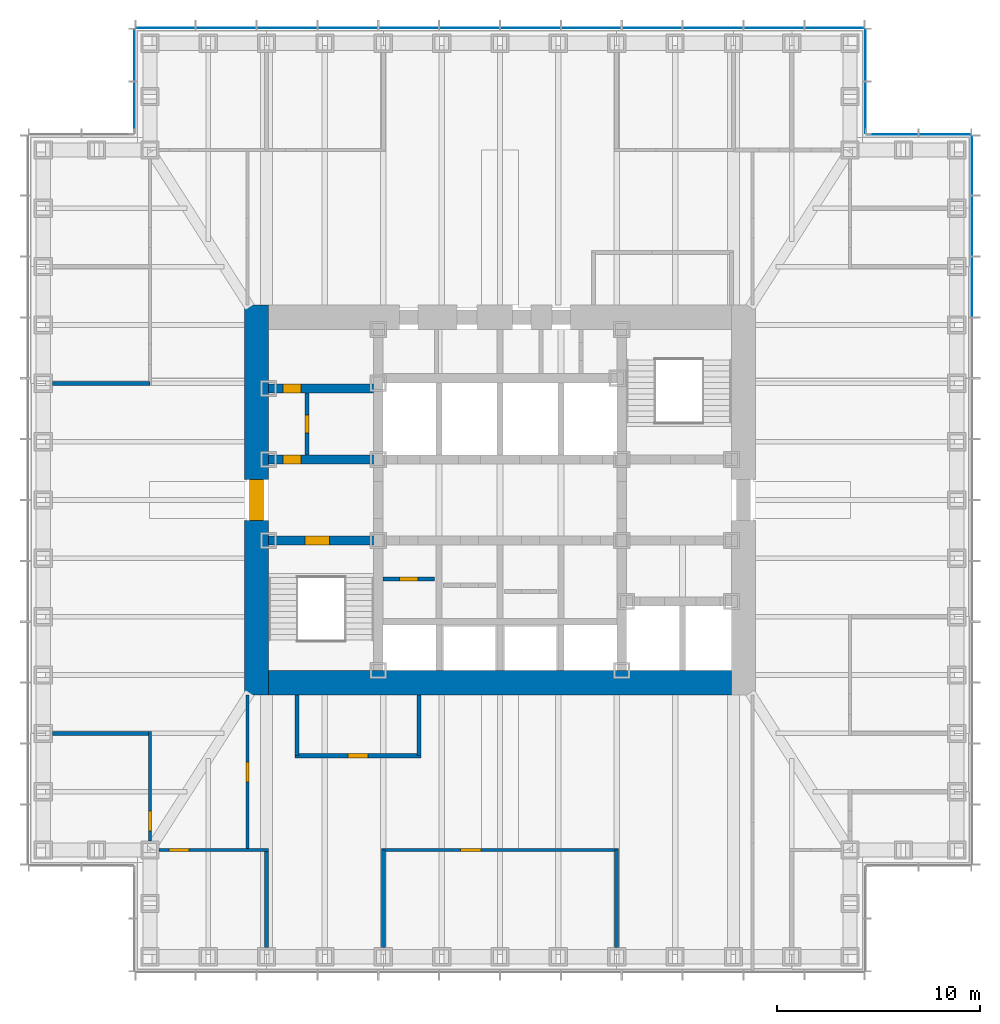
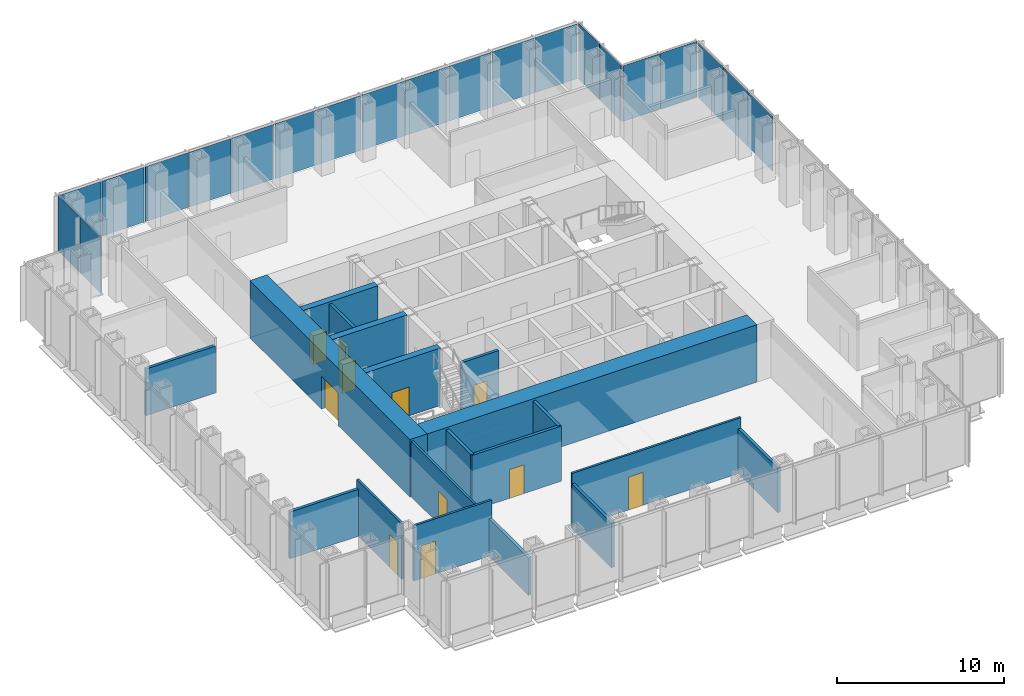
# One storey, part 8 of 17: 21 plates, 19 walls, 11 doors, 11 openings, 5 elements without a shape of their own.
"""IFC4 building model written with IfcOpenShell, lengths in metres."""

from ifc_helpers import new_model, si_unit, direction, frame, frame_2d, origin, origin_2d, place, context, subcontext, project, spatial, rectangle, extrude, material, layer, layer_set, type_object, element, fill, aggregate, save


model = new_model("IFC4")

# Units and contexts
model_context = context("Model", 3, precision=1e-05, world=origin(), true_north=direction((0.0, 1.0)))
body_context = subcontext(model_context, "Body", "Model", "MODEL_VIEW")
ifc_project = project(units=[si_unit("LENGTHUNIT", "METRE"), si_unit("AREAUNIT", "SQUARE_METRE"), si_unit("VOLUMEUNIT", "CUBIC_METRE"), si_unit("PLANEANGLEUNIT", "RADIAN"), si_unit("MASSUNIT", "GRAM", prefix="KILO")], contexts=[model_context])

# Site, building, storey
site_placement = place(None, origin())
site = spatial("IfcSite", under=ifc_project, at=site_placement, CompositionType="ELEMENT")
building_placement = place(site_placement, origin())
building = spatial("IfcBuilding", under=site, at=building_placement, Name="Daluyong Arena Tower", CompositionType="ELEMENT")
storey_placement = place(building_placement, frame((0.0, 0.0, 150.10009765625)))
storey = spatial("IfcBuildingStorey", under=building, at=storey_placement, Name="L33", CompositionType="ELEMENT", Elevation=150.10009765625)

# Curtain wall, plates
ifc_material_1 = material(Name="Bronze anodised aluminium and glass", Category="aluminium")
curtain_wall_type_1 = type_object("IfcCurtainWallType", Name="Curtain wall CW2", PredefinedType="USERDEFINED", material=ifc_material_1)
curtain_wall_1_placement = place(storey_placement, origin())
curtain_wall_1 = element("IfcCurtainWall", 1, at=curtain_wall_1_placement, inside=storey, type_object=curtain_wall_type_1, Name="curtain wall L33 E", ObjectType="UNITISED CURTAIN WALL", PredefinedType="USERDEFINED")
ifc_material_2 = material(Name="Tinted double glazed unit", Category="glass")
ifc_layer_1 = layer(ifc_material_2, 0.031982421875)
ifc_layer_set_1 = layer_set([ifc_layer_1], Name="Tinted double glazed unit")
plate_type_1 = type_object("IfcPlateType", Name="CW2 panel 32", PredefinedType="CURTAIN_PANEL", material=ifc_layer_set_1)
plate_1_placement = place(storey_placement, frame((79.25, 90.5, 0.0), z_axis=(0.0, 0.0, 1.0), x_axis=(0.0, 1.0, 0.0)))
plate_1 = element("IfcPlate", 2, at=plate_1_placement, type_object=plate_type_1, Name="curtain wall L33 E panel 10", PredefinedType="CURTAIN_PANEL", context=body_context, shape_type="SweptSolid", body=[
    extrude(rectangle(XDim=2.919921875, YDim=0.031982421875, at=origin_2d()), origin(), (0.0, 0.0, 1.0), 4.02001953125),
])
plate_2_placement = place(storey_placement, frame((79.25, 93.5, 0.0), z_axis=(0.0, 0.0, 1.0), x_axis=(0.0, 1.0, 0.0)))
plate_2 = element("IfcPlate", 3, at=plate_2_placement, type_object=plate_type_1, Name="curtain wall L33 E panel 11", PredefinedType="CURTAIN_PANEL", context=body_context, shape_type="SweptSolid", body=[
    extrude(rectangle(XDim=2.919921875, YDim=0.031982421875, at=origin_2d()), origin(), (0.0, 0.0, 1.0), 4.02001953125),
])
plate_3_placement = place(storey_placement, frame((79.25, 96.47998046875, 0.0), z_axis=(0.0, 0.0, 1.0), x_axis=(0.0, 1.0, 0.0)))
plate_3 = element("IfcPlate", 4, at=plate_3_placement, type_object=plate_type_1, Name="curtain wall L33 E panel 12", PredefinedType="CURTAIN_PANEL", context=body_context, shape_type="SweptSolid", body=[
    extrude(rectangle(XDim=2.8798828125, YDim=0.031982421875, at=origin_2d()), origin(), (0.0, 0.0, 1.0), 4.02001953125),
])
aggregate(curtain_wall_1, [plate_1, plate_2, plate_3])

curtain_wall_2_placement = place(storey_placement, origin())
curtain_wall_2 = element("IfcCurtainWall", 5, at=curtain_wall_2_placement, inside=storey, type_object=curtain_wall_type_1, Name="curtain wall L33 N", ObjectType="UNITISED CURTAIN WALL", PredefinedType="USERDEFINED")
plate_4_placement = place(storey_placement, frame((72.47998046875, 103.25, 0.0), z_axis=(0.0, 0.0, 1.0), x_axis=(-1.0, 0.0, 0.0)))
plate_4 = element("IfcPlate", 6, at=plate_4_placement, type_object=plate_type_1, Name="curtain wall L33 N panel 1", PredefinedType="CURTAIN_PANEL", context=body_context, shape_type="SweptSolid", body=[
    extrude(rectangle(XDim=2.8798828125, YDim=0.031982421875, at=origin_2d()), origin(), (0.0, 0.0, 1.0), 4.02001953125),
])
plate_5_placement = place(storey_placement, frame((69.5, 103.25, 0.0), z_axis=(0.0, 0.0, 1.0), x_axis=(-1.0, 0.0, 0.0)))
plate_5 = element("IfcPlate", 7, at=plate_5_placement, type_object=plate_type_1, Name="curtain wall L33 N panel 2", PredefinedType="CURTAIN_PANEL", context=body_context, shape_type="SweptSolid", body=[
    extrude(rectangle(XDim=2.919921875, YDim=0.031982421875, at=origin_2d()), origin(), (0.0, 0.0, 1.0), 4.02001953125),
])
plate_6_placement = place(storey_placement, frame((66.5, 103.25, 0.0), z_axis=(0.0, 0.0, 1.0), x_axis=(-1.0, 0.0, 0.0)))
plate_6 = element("IfcPlate", 8, at=plate_6_placement, type_object=plate_type_1, Name="curtain wall L33 N panel 3", PredefinedType="CURTAIN_PANEL", context=body_context, shape_type="SweptSolid", body=[
    extrude(rectangle(XDim=2.919921875, YDim=0.031982421875, at=origin_2d()), origin(), (0.0, 0.0, 1.0), 4.02001953125),
])
plate_7_placement = place(storey_placement, frame((63.5, 103.25, 0.0), z_axis=(0.0, 0.0, 1.0), x_axis=(-1.0, 0.0, 0.0)))
plate_7 = element("IfcPlate", 9, at=plate_7_placement, type_object=plate_type_1, Name="curtain wall L33 N panel 4", PredefinedType="CURTAIN_PANEL", context=body_context, shape_type="SweptSolid", body=[
    extrude(rectangle(XDim=2.919921875, YDim=0.031982421875, at=origin_2d()), origin(), (0.0, 0.0, 1.0), 4.02001953125),
])
plate_8_placement = place(storey_placement, frame((60.5, 103.25, 0.0), z_axis=(0.0, 0.0, 1.0), x_axis=(-1.0, 0.0, 0.0)))
plate_8 = element("IfcPlate", 10, at=plate_8_placement, type_object=plate_type_1, Name="curtain wall L33 N panel 5", PredefinedType="CURTAIN_PANEL", context=body_context, shape_type="SweptSolid", body=[
    extrude(rectangle(XDim=2.919921875, YDim=0.031982421875, at=origin_2d()), origin(), (0.0, 0.0, 1.0), 4.02001953125),
])
plate_9_placement = place(storey_placement, frame((57.5, 103.25, 0.0), z_axis=(0.0, 0.0, 1.0), x_axis=(-1.0, 0.0, 0.0)))
plate_9 = element("IfcPlate", 11, at=plate_9_placement, type_object=plate_type_1, Name="curtain wall L33 N panel 6", PredefinedType="CURTAIN_PANEL", context=body_context, shape_type="SweptSolid", body=[
    extrude(rectangle(XDim=2.919921875, YDim=0.031982421875, at=origin_2d()), origin(), (0.0, 0.0, 1.0), 4.02001953125),
])
plate_10_placement = place(storey_placement, frame((54.5, 103.25, 0.0), z_axis=(0.0, 0.0, 1.0), x_axis=(-1.0, 0.0, 0.0)))
plate_10 = element("IfcPlate", 12, at=plate_10_placement, type_object=plate_type_1, Name="curtain wall L33 N panel 7", PredefinedType="CURTAIN_PANEL", context=body_context, shape_type="SweptSolid", body=[
    extrude(rectangle(XDim=2.919921875, YDim=0.031982421875, at=origin_2d()), origin(), (0.0, 0.0, 1.0), 4.02001953125),
])
plate_11_placement = place(storey_placement, frame((51.5, 103.25, 0.0), z_axis=(0.0, 0.0, 1.0), x_axis=(-1.0, 0.0, 0.0)))
plate_11 = element("IfcPlate", 13, at=plate_11_placement, type_object=plate_type_1, Name="curtain wall L33 N panel 8", PredefinedType="CURTAIN_PANEL", context=body_context, shape_type="SweptSolid", body=[
    extrude(rectangle(XDim=2.919921875, YDim=0.031982421875, at=origin_2d()), origin(), (0.0, 0.0, 1.0), 4.02001953125),
])
plate_12_placement = place(storey_placement, frame((48.5, 103.25, 0.0), z_axis=(0.0, 0.0, 1.0), x_axis=(-1.0, 0.0, 0.0)))
plate_12 = element("IfcPlate", 14, at=plate_12_placement, type_object=plate_type_1, Name="curtain wall L33 N panel 9", PredefinedType="CURTAIN_PANEL", context=body_context, shape_type="SweptSolid", body=[
    extrude(rectangle(XDim=2.919921875, YDim=0.031982421875, at=origin_2d()), origin(), (0.0, 0.0, 1.0), 4.02001953125),
])
plate_13_placement = place(storey_placement, frame((45.5, 103.25, 0.0), z_axis=(0.0, 0.0, 1.0), x_axis=(-1.0, 0.0, 0.0)))
plate_13 = element("IfcPlate", 15, at=plate_13_placement, type_object=plate_type_1, Name="curtain wall L33 N panel 10", PredefinedType="CURTAIN_PANEL", context=body_context, shape_type="SweptSolid", body=[
    extrude(rectangle(XDim=2.919921875, YDim=0.031982421875, at=origin_2d()), origin(), (0.0, 0.0, 1.0), 4.02001953125),
])
plate_14_placement = place(storey_placement, frame((42.5, 103.25, 0.0), z_axis=(0.0, 0.0, 1.0), x_axis=(-1.0, 0.0, 0.0)))
plate_14 = element("IfcPlate", 16, at=plate_14_placement, type_object=plate_type_1, Name="curtain wall L33 N panel 11", PredefinedType="CURTAIN_PANEL", context=body_context, shape_type="SweptSolid", body=[
    extrude(rectangle(XDim=2.919921875, YDim=0.031982421875, at=origin_2d()), origin(), (0.0, 0.0, 1.0), 4.02001953125),
])
plate_15_placement = place(storey_placement, frame((39.52001953125, 103.25, 0.0), z_axis=(0.0, 0.0, 1.0), x_axis=(-1.0, 0.0, 0.0)))
plate_15 = element("IfcPlate", 17, at=plate_15_placement, type_object=plate_type_1, Name="curtain wall L33 N panel 12", PredefinedType="CURTAIN_PANEL", context=body_context, shape_type="SweptSolid", body=[
    extrude(rectangle(XDim=2.8798828125, YDim=0.031982421875, at=origin_2d()), origin(), (0.0, 0.0, 1.0), 4.02001953125),
])
aggregate(curtain_wall_2, [plate_4, plate_5, plate_6, plate_7, plate_8, plate_9, plate_10, plate_11, plate_12, plate_13, plate_14, plate_15])

ifc_material_3 = material(Name="Bronze anodised aluminium and glass", Category="aluminium")
curtain_wall_type_2 = type_object("IfcCurtainWallType", Name="Curtain wall CW7", PredefinedType="USERDEFINED", material=ifc_material_3)
curtain_wall_3_placement = place(storey_placement, origin())
curtain_wall_3 = element("IfcCurtainWall", 18, at=curtain_wall_3_placement, inside=storey, type_object=curtain_wall_type_2, Name="curtain wall L33 NE-N", ObjectType="UNITISED CURTAIN WALL", PredefinedType="USERDEFINED")
ifc_material_4 = material(Name="Tinted double glazed unit", Category="glass")
ifc_layer_2 = layer(ifc_material_4, 0.028076171875)
ifc_layer_set_2 = layer_set([ifc_layer_2], Name="Tinted double glazed unit")
plate_type_2 = type_object("IfcPlateType", Name="CW7 panel 28", PredefinedType="CURTAIN_PANEL", material=ifc_layer_set_2)
plate_16_placement = place(storey_placement, frame((77.922607421875, 98.0, -0.000244140625), z_axis=(0.0, 0.0, 1.0), x_axis=(-1.0, 0.0, 0.0)))
plate_16 = element("IfcPlate", 19, at=plate_16_placement, type_object=plate_type_2, Name="curtain wall L33 NE-N panel 1", PredefinedType="CURTAIN_PANEL", context=body_context, shape_type="SweptSolid", body=[
    extrude(rectangle(XDim=2.534912109375, YDim=0.028076171875, at=origin_2d()), origin(), (0.0, 0.0, 1.0), 4.080078125),
])
plate_17_placement = place(storey_placement, frame((75.327392578125, 98.0, -0.000244140625), z_axis=(0.0, 0.0, 1.0), x_axis=(-1.0, 0.0, 0.0)))
plate_17 = element("IfcPlate", 20, at=plate_17_placement, type_object=plate_type_2, Name="curtain wall L33 NE-N panel 2", PredefinedType="CURTAIN_PANEL", context=body_context, shape_type="SweptSolid", body=[
    extrude(rectangle(XDim=2.534912109375, YDim=0.028076171875, at=origin_2d()), origin(), (0.0, 0.0, 1.0), 4.080078125),
])
aggregate(curtain_wall_3, [plate_16, plate_17])

curtain_wall_4_placement = place(storey_placement, origin())
curtain_wall_4 = element("IfcCurtainWall", 21, at=curtain_wall_4_placement, inside=storey, type_object=curtain_wall_type_2, Name="curtain wall L33 NE-E", ObjectType="UNITISED CURTAIN WALL", PredefinedType="USERDEFINED")
plate_18_placement = place(storey_placement, frame((74.0, 99.327392578125, -0.000244140625), z_axis=(0.0, 0.0, 1.0), x_axis=(0.0, 1.0, 0.0)))
plate_18 = element("IfcPlate", 22, at=plate_18_placement, type_object=plate_type_2, Name="curtain wall L33 NE-E panel 1", PredefinedType="CURTAIN_PANEL", context=body_context, shape_type="SweptSolid", body=[
    extrude(rectangle(XDim=2.534912109375, YDim=0.028076171875, at=origin_2d()), origin(), (0.0, 0.0, 1.0), 4.080078125),
])
plate_19_placement = place(storey_placement, frame((74.0, 101.922607421875, -0.000244140625), z_axis=(0.0, 0.0, 1.0), x_axis=(0.0, 1.0, 0.0)))
plate_19 = element("IfcPlate", 23, at=plate_19_placement, type_object=plate_type_2, Name="curtain wall L33 NE-E panel 2", PredefinedType="CURTAIN_PANEL", context=body_context, shape_type="SweptSolid", body=[
    extrude(rectangle(XDim=2.534912109375, YDim=0.028076171875, at=origin_2d()), origin(), (0.0, 0.0, 1.0), 4.080078125),
])
aggregate(curtain_wall_4, [plate_18, plate_19])

curtain_wall_5_placement = place(storey_placement, origin())
curtain_wall_5 = element("IfcCurtainWall", 24, at=curtain_wall_5_placement, inside=storey, type_object=curtain_wall_type_2, Name="curtain wall L33 NW-W", ObjectType="UNITISED CURTAIN WALL", PredefinedType="USERDEFINED")
plate_20_placement = place(storey_placement, frame((38.0, 101.922607421875, -0.000244140625), z_axis=(0.0, 0.0, 1.0), x_axis=(0.0, -1.0, 0.0)))
plate_20 = element("IfcPlate", 25, at=plate_20_placement, type_object=plate_type_2, Name="curtain wall L33 NW-W panel 1", PredefinedType="CURTAIN_PANEL", context=body_context, shape_type="SweptSolid", body=[
    extrude(rectangle(XDim=2.534912109375, YDim=0.028076171875, at=origin_2d()), origin(), (0.0, 0.0, 1.0), 4.080078125),
])
plate_21_placement = place(storey_placement, frame((38.0, 99.327392578125, -0.000244140625), z_axis=(0.0, 0.0, 1.0), x_axis=(0.0, -1.0, 0.0)))
plate_21 = element("IfcPlate", 26, at=plate_21_placement, type_object=plate_type_2, Name="curtain wall L33 NW-W panel 2", PredefinedType="CURTAIN_PANEL", context=body_context, shape_type="SweptSolid", body=[
    extrude(rectangle(XDim=2.534912109375, YDim=0.028076171875, at=origin_2d()), origin(), (0.0, 0.0, 1.0), 4.080078125),
])
aggregate(curtain_wall_5, [plate_20, plate_21])

# Wall, opening, door
ifc_material_5 = material(Name="Concrete fc' 45 MPa", Category="concrete")
ifc_layer_3 = layer(ifc_material_5, 0.449951171875)
ifc_layer_set_3 = layer_set([ifc_layer_3], Name="Concrete fc' 45 MPa")
wall_type_1 = type_object("IfcWallType", Name="Core inner wall 450", PredefinedType="SHEAR", material=ifc_layer_set_3)
wall_1_placement = place(storey_placement, frame((44.60009765625, 78.0, 0.0), z_axis=(0.0, 0.0, 1.0), x_axis=(1.0, 0.0, 0.0)))
wall_1 = element("IfcWall", 27, at=wall_1_placement, inside=storey, type_object=wall_type_1, Name="core inner wall at L33", PredefinedType="SHEAR", context=body_context, shape_type="SweptSolid", body=[
    extrude(rectangle(XDim=5.1748046875, YDim=0.449951171875, at=frame_2d((2.58740234375, 0.0))), origin(), (0.0, 0.0, 1.0), 4.199951171875),
])
opening_1_placement = place(wall_1_placement, frame((1.800048828125, 0.0, 0.0)))
opening_1 = element("IfcOpeningElement", 28, at=opening_1_placement, cuts=wall_1, Name="Opening 33016", PredefinedType="OPENING", context=body_context, shape_type="SweptSolid", body=[
    extrude(rectangle(XDim=1.199951171875, YDim=2.10009765625, at=frame_2d((0.60009765625, 1.050048828125))), frame((0.0, 0.23486328125, 0.0), z_axis=(0.0, -1.0, 0.0), x_axis=(1.0, 0.0, 0.0)), (0.0, 0.0, 1.0), 0.469970703125),
])
ifc_material_6 = material(Name="Steel door, fire rated", Category="steel")
door_type_1 = type_object("IfcDoorType", Name="Stair door 1200", OperationType="SINGLE_SWING_LEFT", PredefinedType="DOOR", material=ifc_material_6)
door_1_placement = place(opening_1_placement, origin())
door_1 = element("IfcDoor", 29, at=door_1_placement, inside=storey, type_object=door_type_1, Name="stair A door 33016", OperationType="SINGLE_SWING_LEFT", OverallHeight=2.10009765625, OverallWidth=1.199951171875, PredefinedType="DOOR", context=body_context, shape_type="SweptSolid", body=[
    extrude(rectangle(XDim=1.199951171875, YDim=2.10009765625, at=frame_2d((0.60009765625, 1.050048828125))), frame((0.0, 0.224609375, 0.0), z_axis=(0.0, -1.0, 0.0), x_axis=(1.0, 0.0, 0.0)), (0.0, 0.0, 1.0), 0.449462890625),
])
fill(opening_1, door_1)

wall_2_placement = place(storey_placement, frame((44.60009765625, 82.0, 0.0), z_axis=(0.0, 0.0, 1.0), x_axis=(1.0, 0.0, 0.0)))
wall_2 = element("IfcWall", 30, at=wall_2_placement, inside=storey, type_object=wall_type_1, Name="core inner wall at L33", PredefinedType="SHEAR", context=body_context, shape_type="SweptSolid", body=[
    extrude(rectangle(XDim=5.1748046875, YDim=0.449951171875, at=frame_2d((2.58740234375, 0.0))), origin(), (0.0, 0.0, 1.0), 4.199951171875),
])
opening_2_placement = place(wall_2_placement, frame((0.699951171875, 0.0, 0.0)))
opening_2 = element("IfcOpeningElement", 31, at=opening_2_placement, cuts=wall_2, Name="Opening 33001", PredefinedType="OPENING", context=body_context, shape_type="SweptSolid", body=[
    extrude(rectangle(XDim=0.89990234375, YDim=2.10009765625, at=frame_2d((0.449951171875, 1.050048828125))), frame((0.0, 0.23486328125, 0.0), z_axis=(0.0, -1.0, 0.0), x_axis=(1.0, 0.0, 0.0)), (0.0, 0.0, 1.0), 0.469970703125),
])
ifc_material_7 = material(Name="Steel door, fire rated", Category="steel")
door_type_2 = type_object("IfcDoorType", Name="Core room door 900", OperationType="SINGLE_SWING_LEFT", PredefinedType="DOOR", material=ifc_material_7)
door_2_placement = place(opening_2_placement, origin())
door_2 = element("IfcDoor", 32, at=door_2_placement, inside=storey, type_object=door_type_2, Name="toilet lobby door 33001", OperationType="SINGLE_SWING_LEFT", OverallHeight=2.10009765625, OverallWidth=0.89990234375, PredefinedType="DOOR", context=body_context, shape_type="SweptSolid", body=[
    extrude(rectangle(XDim=0.89990234375, YDim=2.10009765625, at=frame_2d((0.449951171875, 1.050048828125))), frame((0.0, 0.224609375, 0.0), z_axis=(0.0, -1.0, 0.0), x_axis=(1.0, 0.0, 0.0)), (0.0, 0.0, 1.0), 0.449462890625),
])
fill(opening_2, door_2)

wall_3_placement = place(storey_placement, frame((44.60009765625, 85.5, 0.0), z_axis=(0.0, 0.0, 1.0), x_axis=(1.0, 0.0, 0.0)))
wall_3 = element("IfcWall", 33, at=wall_3_placement, inside=storey, type_object=wall_type_1, Name="core inner wall at L33", PredefinedType="SHEAR", context=body_context, shape_type="SweptSolid", body=[
    extrude(rectangle(XDim=5.1748046875, YDim=0.449951171875, at=frame_2d((2.58740234375, 0.0))), origin(), (0.0, 0.0, 1.0), 4.199951171875),
])
opening_3_placement = place(wall_3_placement, frame((0.699951171875, 0.0, 0.0)))
opening_3 = element("IfcOpeningElement", 34, at=opening_3_placement, cuts=wall_3, Name="Opening 33003", PredefinedType="OPENING", context=body_context, shape_type="SweptSolid", body=[
    extrude(rectangle(XDim=0.89990234375, YDim=2.10009765625, at=frame_2d((0.449951171875, 1.050048828125))), frame((0.0, 0.23486328125, 0.0), z_axis=(0.0, -1.0, 0.0), x_axis=(1.0, 0.0, 0.0)), (0.0, 0.0, 1.0), 0.469970703125),
])
ifc_material_8 = material(Name="Timber door", Category="wood")
door_type_3 = type_object("IfcDoorType", Name="Toilet door 900", OperationType="SINGLE_SWING_RIGHT", PredefinedType="DOOR", material=ifc_material_8)
door_3_placement = place(opening_3_placement, origin())
door_3 = element("IfcDoor", 35, at=door_3_placement, inside=storey, type_object=door_type_3, Name="female toilet door 33003", OperationType="SINGLE_SWING_RIGHT", OverallHeight=2.10009765625, OverallWidth=0.89990234375, PredefinedType="DOOR", context=body_context, shape_type="SweptSolid", body=[
    extrude(rectangle(XDim=0.89990234375, YDim=2.10009765625, at=frame_2d((0.449951171875, 1.050048828125))), frame((0.0, 0.224609375, 0.0), z_axis=(0.0, -1.0, 0.0), x_axis=(1.0, 0.0, 0.0)), (0.0, 0.0, 1.0), 0.449462890625),
])
fill(opening_3, door_3)

ifc_material_9 = material(Name="Concrete fc' 60 MPa", Category="concrete")
ifc_layer_4 = layer(ifc_material_9, 1.199951171875)
ifc_layer_set_4 = layer_set([ifc_layer_4], Name="Concrete fc' 60 MPa")
wall_type_2 = type_object("IfcWallType", Name="Core wall 1200", PredefinedType="SHEAR", material=ifc_layer_set_4)
wall_4_placement = place(storey_placement, frame((44.0, 70.39990234375, 0.0), z_axis=(0.0, 0.0, 1.0), x_axis=(0.0, 1.0, 0.0)))
wall_4 = element("IfcWall", 36, at=wall_4_placement, inside=storey, type_object=wall_type_2, Name="core wall at L33", PredefinedType="SHEAR", context=body_context, shape_type="SweptSolid", body=[
    extrude(rectangle(XDim=19.2001953125, YDim=1.199951171875, at=frame_2d((9.60009765625, 0.0))), origin(), (0.0, 0.0, 1.0), 4.199951171875),
])
opening_4_placement = place(wall_4_placement, frame((8.60009765625, 0.0, 0.0)))
opening_4 = element("IfcOpeningElement", 37, at=opening_4_placement, cuts=wall_4, Name="Opening 33018", PredefinedType="OPENING", context=body_context, shape_type="SweptSolid", body=[
    extrude(rectangle(XDim=2.0, YDim=2.39990234375, at=frame_2d((1.0, 1.199951171875))), frame((0.0, 0.60986328125, 0.0), z_axis=(0.0, -1.0, 0.0), x_axis=(1.0, 0.0, 0.0)), (0.0, 0.0, 1.0), 1.219970703125),
])
ifc_material_10 = material(Name="Steel door, fire rated", Category="steel")
door_type_4 = type_object("IfcDoorType", Name="Core lobby double door 2000", OperationType="DOUBLE_DOOR_SINGLE_SWING", PredefinedType="DOOR", material=ifc_material_10)
door_4_placement = place(opening_4_placement, origin())
door_4 = element("IfcDoor", 38, at=door_4_placement, inside=storey, type_object=door_type_4, Name="core lobby door west 33018", OperationType="DOUBLE_DOOR_SINGLE_SWING", OverallHeight=2.39990234375, OverallWidth=2.0, PredefinedType="DOOR", context=body_context, shape_type="SweptSolid", body=[
    extrude(rectangle(XDim=2.0, YDim=2.39990234375, at=frame_2d((1.0, 1.199951171875))), frame((0.0, 0.35009765625, 0.0), z_axis=(0.0, -1.0, 0.0), x_axis=(1.0, 0.0, 0.0)), (0.0, 0.0, 1.0), 0.699951171875),
])
fill(opening_4, door_4)

# Wall
wall_5_placement = place(storey_placement, frame((44.60009765625, 71.0, 0.0), z_axis=(0.0, 0.0, 1.0), x_axis=(1.0, 0.0, 0.0)))
element("IfcWall", 39, at=wall_5_placement, inside=storey, type_object=wall_type_2, Name="core wall at L33", PredefinedType="SHEAR", context=body_context, shape_type="SweptSolid", body=[
    extrude(rectangle(XDim=22.7998046875, YDim=1.199951171875, at=frame_2d((11.39990234375, 0.0))), origin(), (0.0, 0.0, 1.0), 4.199951171875),
])

# Wall, opening, door
ifc_material_11 = material(Name="Concrete block partition, fire rated", Category="concrete")
ifc_layer_5 = layer(ifc_material_11, 0.199951171875)
ifc_layer_set_5 = layer_set([ifc_layer_5], Name="Concrete block partition, fire rated")
wall_type_3 = type_object("IfcWallType", Name="Fire-rated partition 200", PredefinedType="PARTITIONING", material=ifc_layer_set_5)
wall_6_placement = place(storey_placement, frame((46.5, 82.22509765625, 0.0), z_axis=(0.0, 0.0, 1.0), x_axis=(0.0, 1.0, 0.0)))
wall_6 = element("IfcWall", 40, at=wall_6_placement, inside=storey, type_object=wall_type_3, Name="toilet lobby partition at L33", PredefinedType="PARTITIONING", context=body_context, shape_type="SweptSolid", body=[
    extrude(rectangle(XDim=3.0498046875, YDim=0.199951171875, at=frame_2d((1.52490234375, 0.0))), origin(), (0.0, 0.0, 1.0), 4.039794921875),
])
opening_5_placement = place(wall_6_placement, frame((1.074951171875, 0.0, 0.0)))
opening_5 = element("IfcOpeningElement", 41, at=opening_5_placement, cuts=wall_6, Name="Opening 33002", PredefinedType="OPENING", context=body_context, shape_type="SweptSolid", body=[
    extrude(rectangle(XDim=0.89990234375, YDim=2.10009765625, at=frame_2d((0.449951171875, 1.050048828125))), frame((0.0, 0.10986328125, 0.0), z_axis=(0.0, -1.0, 0.0), x_axis=(1.0, 0.0, 0.0)), (0.0, 0.0, 1.0), 0.219970703125),
])
door_5_placement = place(opening_5_placement, origin())
door_5 = element("IfcDoor", 42, at=door_5_placement, inside=storey, type_object=door_type_3, Name="male toilet door 33002", OperationType="SINGLE_SWING_RIGHT", OverallHeight=2.10009765625, OverallWidth=0.89990234375, PredefinedType="DOOR", context=body_context, shape_type="SweptSolid", body=[
    extrude(rectangle(XDim=0.89990234375, YDim=2.10009765625, at=frame_2d((0.449951171875, 1.050048828125))), frame((0.0, 0.099609375, 0.0), z_axis=(0.0, -1.0, 0.0), x_axis=(1.0, 0.0, 0.0)), (0.0, 0.0, 1.0), 0.199462890625),
])
fill(opening_5, door_5)

wall_7_placement = place(storey_placement, frame((50.22509765625, 76.10009765625, 0.0), z_axis=(0.0, 0.0, 1.0), x_axis=(1.0, 0.0, 0.0)))
wall_7 = element("IfcWall", 43, at=wall_7_placement, inside=storey, type_object=wall_type_3, Name="back store partition at L33", PredefinedType="PARTITIONING", context=body_context, shape_type="SweptSolid", body=[
    extrude(rectangle(XDim=2.5498046875, YDim=0.199951171875, at=frame_2d((1.27490234375, 0.0))), origin(), (0.0, 0.0, 1.0), 4.039794921875),
])
opening_6_placement = place(wall_7_placement, frame((0.824951171875, 0.0, 0.0)))
opening_6 = element("IfcOpeningElement", 44, at=opening_6_placement, cuts=wall_7, Name="Opening 33010", PredefinedType="OPENING", context=body_context, shape_type="SweptSolid", body=[
    extrude(rectangle(XDim=0.89990234375, YDim=2.10009765625, at=frame_2d((0.449951171875, 1.050048828125))), frame((0.0, 0.10986328125, 0.0), z_axis=(0.0, -1.0, 0.0), x_axis=(1.0, 0.0, 0.0)), (0.0, 0.0, 1.0), 0.219970703125),
])
ifc_material_12 = material(Name="Steel door, fire rated", Category="steel")
door_type_5 = type_object("IfcDoorType", Name="Core store door 900", OperationType="SINGLE_SWING_LEFT", PredefinedType="DOOR", material=ifc_material_12)
door_6_placement = place(opening_6_placement, origin())
door_6 = element("IfcDoor", 45, at=door_6_placement, inside=storey, type_object=door_type_5, Name="facilities store door 33010", OperationType="SINGLE_SWING_LEFT", OverallHeight=2.10009765625, OverallWidth=0.89990234375, PredefinedType="DOOR", context=body_context, shape_type="SweptSolid", body=[
    extrude(rectangle(XDim=0.89990234375, YDim=2.10009765625, at=frame_2d((0.449951171875, 1.050048828125))), frame((0.0, 0.099609375, 0.0), z_axis=(0.0, -1.0, 0.0), x_axis=(1.0, 0.0, 0.0)), (0.0, 0.0, 1.0), 0.199462890625),
])
fill(opening_6, door_6)

ifc_material_13 = material(Name="Glazed aluminium partition", Category="aluminium")
ifc_layer_6 = layer(ifc_material_13, 0.14990234375)
ifc_layer_set_6 = layer_set([ifc_layer_6], Name="Glazed aluminium partition")
wall_type_4 = type_object("IfcWallType", Name="Glazed partition 150", PredefinedType="PARTITIONING", material=ifc_layer_set_6)
wall_8_placement = place(storey_placement, frame((39.199951171875, 62.75, 0.0), z_axis=(0.0, 0.0, 1.0), x_axis=(1.0, 0.0, 0.0)))
wall_8 = element("IfcWall", 46, at=wall_8_placement, inside=storey, type_object=wall_type_4, Name="glazed partition at L33", PredefinedType="PARTITIONING", context=body_context, shape_type="SweptSolid", body=[
    extrude(rectangle(XDim=5.400146484375, YDim=0.14990234375, at=frame_2d((2.7001953125, 0.0))), origin(), (0.0, 0.0, 1.0), 4.039794921875),
])
opening_7_placement = place(wall_8_placement, frame((0.487548828125, 0.0, 0.0)))
opening_7 = element("IfcOpeningElement", 47, at=opening_7_placement, cuts=wall_8, Name="Opening 33029", PredefinedType="OPENING", context=body_context, shape_type="SweptSolid", body=[
    extrude(rectangle(XDim=1.0, YDim=2.39990234375, at=frame_2d((0.5, 1.199951171875))), frame((0.0, 0.0849609375, 0.0), z_axis=(0.0, -1.0, 0.0), x_axis=(1.0, 0.0, 0.0)), (0.0, 0.0, 1.0), 0.169921875),
])
ifc_material_14 = material(Name="Glazed aluminium door", Category="aluminium")
door_type_6 = type_object("IfcDoorType", Name="Meeting room glazed door 1000", OperationType="SINGLE_SWING_RIGHT", PredefinedType="DOOR", material=ifc_material_14)
door_7_placement = place(opening_7_placement, origin())
door_7 = element("IfcDoor", 48, at=door_7_placement, inside=storey, type_object=door_type_6, Name="meeting room door 33029", OperationType="SINGLE_SWING_RIGHT", OverallHeight=2.39990234375, OverallWidth=1.0, PredefinedType="DOOR", context=body_context, shape_type="SweptSolid", body=[
    extrude(rectangle(XDim=1.0, YDim=2.39990234375, at=frame_2d((0.5, 1.199951171875))), frame((0.0, 0.07470703125, 0.0), z_axis=(0.0, -1.0, 0.0), x_axis=(1.0, 0.0, 0.0)), (0.0, 0.0, 1.0), 0.1494140625),
])
fill(opening_7, door_7)

wall_9_placement = place(storey_placement, frame((50.14990234375, 62.75, 0.0), z_axis=(0.0, 0.0, 1.0), x_axis=(1.0, 0.0, 0.0)))
wall_9 = element("IfcWall", 49, at=wall_9_placement, inside=storey, type_object=wall_type_4, Name="glazed partition at L33", PredefinedType="PARTITIONING", context=body_context, shape_type="SweptSolid", body=[
    extrude(rectangle(XDim=11.7001953125, YDim=0.14990234375, at=frame_2d((5.85009765625, 0.0))), origin(), (0.0, 0.0, 1.0), 4.039794921875),
])
opening_8_placement = place(wall_9_placement, frame((3.91259765625, 0.0, 0.0)))
opening_8 = element("IfcOpeningElement", 50, at=opening_8_placement, cuts=wall_9, Name="Opening 33030", PredefinedType="OPENING", context=body_context, shape_type="SweptSolid", body=[
    extrude(rectangle(XDim=1.0, YDim=2.39990234375, at=frame_2d((0.5, 1.199951171875))), frame((0.0, 0.0849609375, 0.0), z_axis=(0.0, -1.0, 0.0), x_axis=(1.0, 0.0, 0.0)), (0.0, 0.0, 1.0), 0.169921875),
])
door_8_placement = place(opening_8_placement, origin())
door_8 = element("IfcDoor", 51, at=door_8_placement, inside=storey, type_object=door_type_6, Name="boardroom door 33030", OperationType="SINGLE_SWING_RIGHT", OverallHeight=2.39990234375, OverallWidth=1.0, PredefinedType="DOOR", context=body_context, shape_type="SweptSolid", body=[
    extrude(rectangle(XDim=1.0, YDim=2.39990234375, at=frame_2d((0.5, 1.199951171875))), frame((0.0, 0.07470703125, 0.0), z_axis=(0.0, -1.0, 0.0), x_axis=(1.0, 0.0, 0.0)), (0.0, 0.0, 1.0), 0.1494140625),
])
fill(opening_8, door_8)

wall_10_placement = place(storey_placement, frame((38.75, 63.199951171875, 0.0), z_axis=(0.0, 0.0, 1.0), x_axis=(0.0, 1.0, 0.0)))
wall_10 = element("IfcWall", 52, at=wall_10_placement, inside=storey, type_object=wall_type_4, Name="glazed partition at L33", PredefinedType="PARTITIONING", context=body_context, shape_type="SweptSolid", body=[
    extrude(rectangle(XDim=5.400146484375, YDim=0.14990234375, at=frame_2d((2.7001953125, 0.0))), origin(), (0.0, 0.0, 1.0), 4.039794921875),
])
opening_9_placement = place(wall_10_placement, frame((0.487548828125, 0.0, 0.0)))
opening_9 = element("IfcOpeningElement", 53, at=opening_9_placement, cuts=wall_10, Name="Opening 33041", PredefinedType="OPENING", context=body_context, shape_type="SweptSolid", body=[
    extrude(rectangle(XDim=1.0, YDim=2.39990234375, at=frame_2d((0.5, 1.199951171875))), frame((0.0, 0.0849609375, 0.0), z_axis=(0.0, -1.0, 0.0), x_axis=(1.0, 0.0, 0.0)), (0.0, 0.0, 1.0), 0.169921875),
])
door_9_placement = place(opening_9_placement, origin())
door_9 = element("IfcDoor", 54, at=door_9_placement, inside=storey, type_object=door_type_6, Name="meeting room door 33041", OperationType="SINGLE_SWING_RIGHT", OverallHeight=2.39990234375, OverallWidth=1.0, PredefinedType="DOOR", context=body_context, shape_type="SweptSolid", body=[
    extrude(rectangle(XDim=1.0, YDim=2.39990234375, at=frame_2d((0.5, 1.199951171875))), frame((0.0, 0.07470703125, 0.0), z_axis=(0.0, -1.0, 0.0), x_axis=(1.0, 0.0, 0.0)), (0.0, 0.0, 1.0), 0.1494140625),
])
fill(opening_9, door_9)

wall_11_placement = place(storey_placement, frame((43.550048828125, 62.800048828125, 0.0), z_axis=(0.0, 0.0, 1.0), x_axis=(0.0, 1.0, 0.0)))
wall_11 = element("IfcWall", 55, at=wall_11_placement, inside=storey, type_object=wall_type_4, Name="glazed partition at L33", PredefinedType="PARTITIONING", context=body_context, shape_type="SweptSolid", body=[
    extrude(rectangle(XDim=7.599853515625, YDim=0.14990234375, at=frame_2d((3.7998046875, 0.0))), origin(), (0.0, 0.0, 1.0), 4.039794921875),
])
opening_10_placement = place(wall_11_placement, frame((3.300048828125, 0.0, 0.0)))
opening_10 = element("IfcOpeningElement", 56, at=opening_10_placement, cuts=wall_11, Name="Opening 33046", PredefinedType="OPENING", context=body_context, shape_type="SweptSolid", body=[
    extrude(rectangle(XDim=1.0, YDim=2.39990234375, at=frame_2d((0.5, 1.199951171875))), frame((0.0, 0.0849609375, 0.0), z_axis=(0.0, -1.0, 0.0), x_axis=(1.0, 0.0, 0.0)), (0.0, 0.0, 1.0), 0.169921875),
])
door_10_placement = place(opening_10_placement, origin())
door_10 = element("IfcDoor", 57, at=door_10_placement, inside=storey, type_object=door_type_6, Name="team area screen door 33046", OperationType="SINGLE_SWING_RIGHT", OverallHeight=2.39990234375, OverallWidth=1.0, PredefinedType="DOOR", context=body_context, shape_type="SweptSolid", body=[
    extrude(rectangle(XDim=1.0, YDim=2.39990234375, at=frame_2d((0.5, 1.199951171875))), frame((0.0, 0.07470703125, 0.0), z_axis=(0.0, -1.0, 0.0), x_axis=(1.0, 0.0, 0.0)), (0.0, 0.0, 1.0), 0.1494140625),
])
fill(opening_10, door_10)

# Walls
ifc_material_15 = material(Name="Concrete block partition", Category="concrete")
ifc_layer_7 = layer(ifc_material_15, 0.199951171875)
ifc_layer_set_7 = layer_set([ifc_layer_7], Name="Concrete block partition")
wall_type_5 = type_object("IfcWallType", Name="Partition 200", PredefinedType="PARTITIONING", material=ifc_layer_set_7)
wall_12_placement = place(storey_placement, frame((44.5, 57.949951171875, 0.0), z_axis=(0.0, 0.0, 1.0), x_axis=(0.0, 1.0, 0.0)))
element("IfcWall", 58, at=wall_12_placement, inside=storey, type_object=wall_type_5, Name="partition at L33", PredefinedType="PARTITIONING", context=body_context, shape_type="SweptSolid", body=[
    extrude(rectangle(XDim=4.800048828125, YDim=0.199951171875, at=frame_2d((2.39990234375, 0.0))), origin(), (0.0, 0.0, 1.0), 2.739990234375),
])
for number, where, z_axis, x_axis, name in (
    (59, (50.25, 57.949951171875, 0.0), (0.0, 0.0, 1.0), (0.0, 1.0, 0.0), "partition at L33"),
    (60, (61.75, 57.949951171875, 0.0), (0.0, 0.0, 1.0), (0.0, 1.0, 0.0), "partition at L33"),
):
    element("IfcWall", number, at=place(storey_placement, frame(where, z_axis=z_axis, x_axis=x_axis)), inside=storey, type_object=wall_type_5, Name=name, PredefinedType="PARTITIONING", context=body_context, shape_type="SweptSolid", body=[
        extrude(rectangle(XDim=4.800048828125, YDim=0.199951171875, at=frame_2d((2.39990234375, 0.0))), origin(), (0.0, 0.0, 1.0), 3.27783203125),
    ])
for number, where, z_axis, x_axis, name in (
    (61, (33.949951171875, 68.5, 0.0), (0.0, 0.0, 1.0), (1.0, 0.0, 0.0), "partition at L33"),
    (62, (33.949951171875, 85.75, 0.0), (0.0, 0.0, 1.0), (1.0, 0.0, 0.0), "partition at L33"),
):
    element("IfcWall", number, at=place(storey_placement, frame(where, z_axis=z_axis, x_axis=x_axis)), inside=storey, type_object=wall_type_5, Name=name, PredefinedType="PARTITIONING", context=body_context, shape_type="SweptSolid", body=[
        extrude(rectangle(XDim=4.800048828125, YDim=0.199951171875, at=frame_2d((2.39990234375, 0.0))), origin(), (0.0, 0.0, 1.0), 3.427734375),
    ])
for number, where, z_axis, x_axis, name in (
    (63, (46.0, 67.39990234375, 0.0), (0.0, 0.0, 1.0), (0.0, 1.0, 0.0), "partition at L33"),
    (64, (52.0, 67.39990234375, 0.0), (0.0, 0.0, 1.0), (0.0, 1.0, 0.0), "partition at L33"),
):
    element("IfcWall", number, at=place(storey_placement, frame(where, z_axis=z_axis, x_axis=x_axis)), inside=storey, type_object=wall_type_5, Name=name, PredefinedType="PARTITIONING", context=body_context, shape_type="SweptSolid", body=[
        extrude(rectangle(XDim=3.0, YDim=0.199951171875, at=frame_2d((1.5, 0.0))), origin(), (0.0, 0.0, 1.0), 4.039794921875),
    ])

# Wall, opening, door
wall_13_placement = place(storey_placement, frame((45.89990234375, 67.39990234375, 0.0), z_axis=(0.0, 0.0, 1.0), x_axis=(1.0, 0.0, 0.0)))
wall_13 = element("IfcWall", 65, at=wall_13_placement, inside=storey, type_object=wall_type_5, Name="partition at L33", PredefinedType="PARTITIONING", context=body_context, shape_type="SweptSolid", body=[
    extrude(rectangle(XDim=6.2001953125, YDim=0.199951171875, at=frame_2d((3.10009765625, 0.0))), origin(), (0.0, 0.0, 1.0), 4.039794921875),
])
opening_11_placement = place(wall_13_placement, frame((2.60009765625, 0.0, 0.0)))
opening_11 = element("IfcOpeningElement", 66, at=opening_11_placement, cuts=wall_13, Name="Opening 33044", PredefinedType="OPENING", context=body_context, shape_type="SweptSolid", body=[
    extrude(rectangle(XDim=1.0, YDim=2.10009765625, at=frame_2d((0.5, 1.050048828125))), frame((0.0, 0.10986328125, 0.0), z_axis=(0.0, -1.0, 0.0), x_axis=(1.0, 0.0, 0.0)), (0.0, 0.0, 1.0), 0.219970703125),
])
ifc_material_16 = material(Name="Timber door", Category="wood")
door_type_7 = type_object("IfcDoorType", Name="Room door 1000", OperationType="SINGLE_SWING_LEFT", PredefinedType="DOOR", material=ifc_material_16)
door_11_placement = place(opening_11_placement, origin())
door_11 = element("IfcDoor", 67, at=door_11_placement, inside=storey, type_object=door_type_7, Name="pantry door 33044", OperationType="SINGLE_SWING_LEFT", OverallHeight=2.10009765625, OverallWidth=1.0, PredefinedType="DOOR", context=body_context, shape_type="SweptSolid", body=[
    extrude(rectangle(XDim=1.0, YDim=2.10009765625, at=frame_2d((0.5, 1.050048828125))), frame((0.0, 0.099609375, 0.0), z_axis=(0.0, -1.0, 0.0), x_axis=(1.0, 0.0, 0.0)), (0.0, 0.0, 1.0), 0.199462890625),
])
fill(opening_11, door_11)

save(model, "model.ifc")
